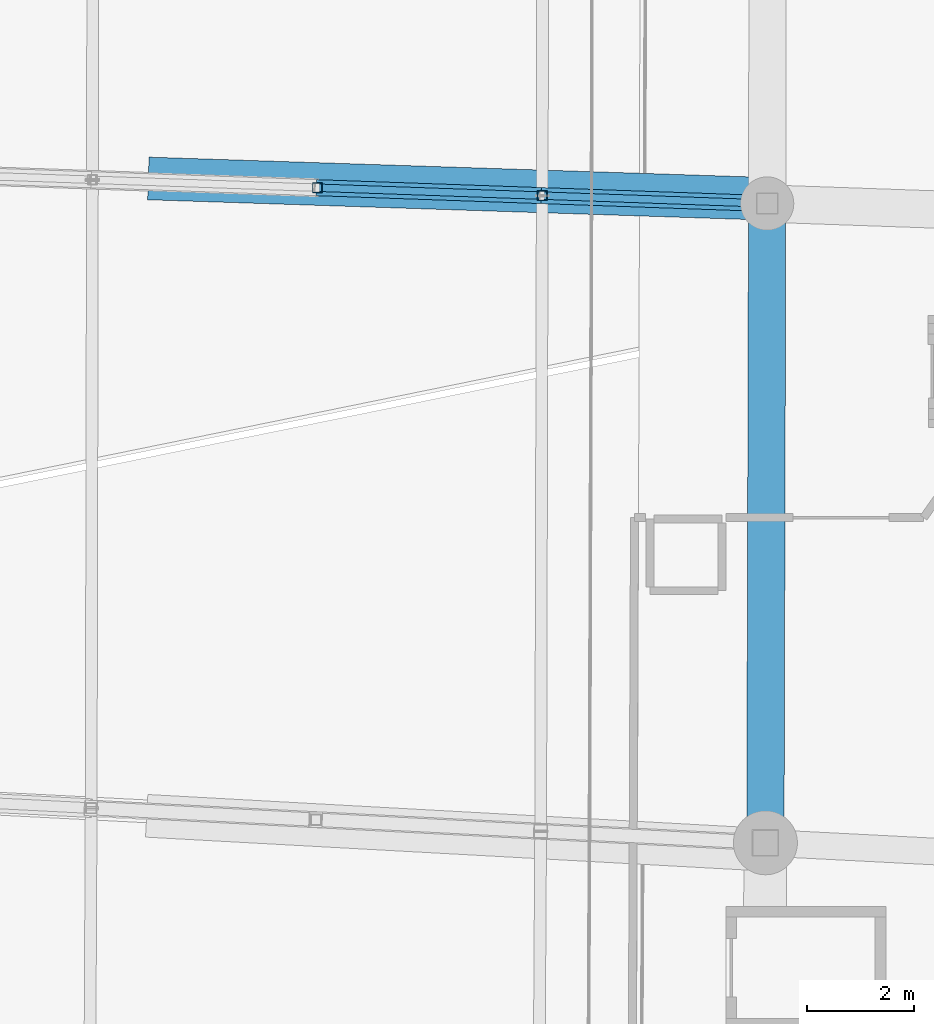
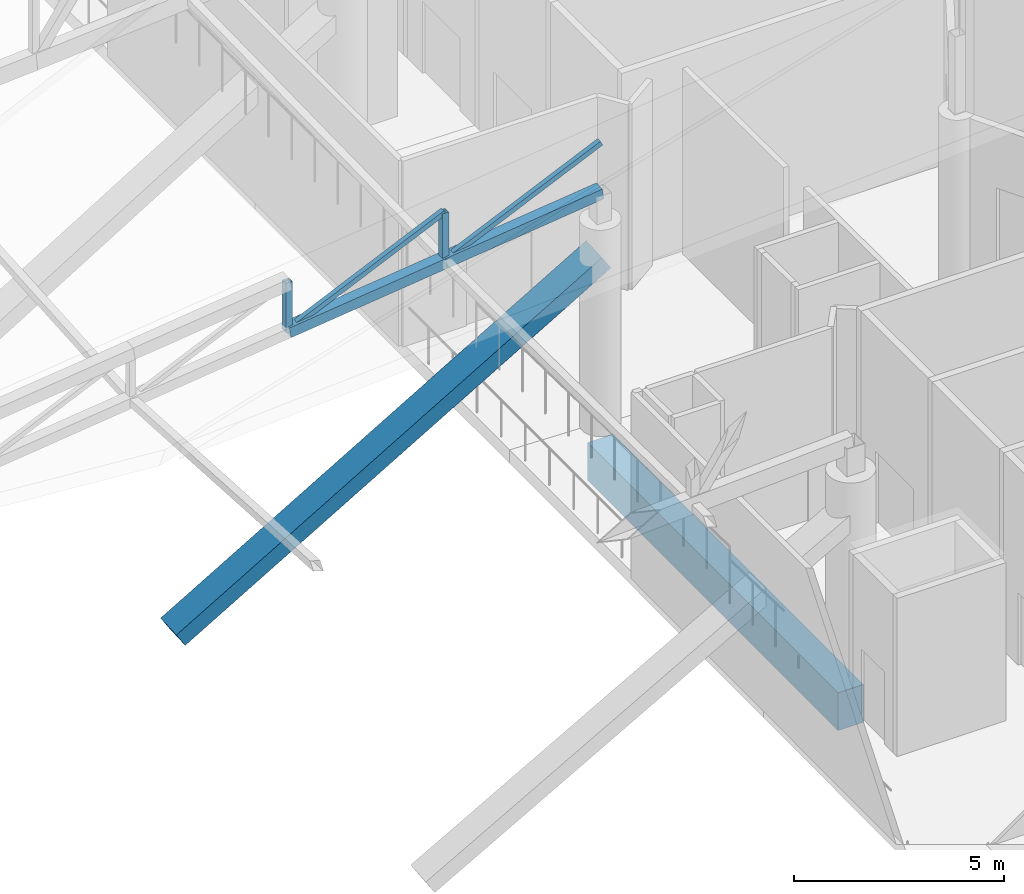
# One storey, part 104 of 344: 6 members, 2 beams.
"""IFC4 building model written with IfcOpenShell, lengths in metres."""

from ifc_helpers import new_model, si_unit, direction, frame, origin, origin_2d, place, context, subcontext, project, spatial, rectangle, hollow_rectangle, extrude, material, material_profile, profile_set, type_object, element, save


model = new_model("IFC4")

# Units and contexts
model_context = context("Model", 3, precision=1e-05, world=origin(), true_north=direction((0.0, 1.0)))
body_context = subcontext(model_context, "Body", "Model", "MODEL_VIEW")
ifc_project = project(units=[si_unit("LENGTHUNIT", "METRE"), si_unit("AREAUNIT", "SQUARE_METRE"), si_unit("VOLUMEUNIT", "CUBIC_METRE"), si_unit("PLANEANGLEUNIT", "RADIAN"), si_unit("MASSUNIT", "GRAM", prefix="KILO")], contexts=[model_context])

# Site, building, storey
site_placement = place(None, origin())
site = spatial("IfcSite", under=ifc_project, at=site_placement, CompositionType="ELEMENT")
building_placement = place(site_placement, origin())
building = spatial("IfcBuilding", under=site, at=building_placement, Name="Meseta Stadium", CompositionType="ELEMENT")
storey_placement = place(building_placement, frame((0.0, 0.0, 24.0)))
storey = spatial("IfcBuildingStorey", under=building, at=storey_placement, Name="L04", CompositionType="ELEMENT", Elevation=24.0)

# Beams
ifc_material_1 = material(Name="Concrete C40/50", Category="concrete")
ifc_material_profile_1 = material_profile(ifc_material_1, rectangle(XDim=0.699951171875, YDim=1.10009765625, at=origin_2d()), Name="RC 700x1100")
ifc_profile_set_1 = profile_set([ifc_material_profile_1], Name="Concrete C40/50")
beam_type_1 = type_object("IfcBeamType", Name="RC beam 700x1100", PredefinedType="BEAM", material=ifc_profile_set_1)
beam_1_placement = place(storey_placement, frame((84.940673828125, -30.404052734375, -0.949951171875), z_axis=(0.002707369213, 0.999996335069, 0.0), x_axis=(-0.999996335069, 0.002707369213, 0.0)))
element("IfcBeam", 1, at=beam_1_placement, inside=storey, type_object=beam_type_1, Name="L04 ring beam frame 2 line P", PredefinedType="BEAM", context=body_context, shape_type="SweptSolid", body=[
    extrude(rectangle(XDim=0.699951171875, YDim=1.10009765625, at=origin_2d()), origin(), (0.0, 0.0, 1.0), 11.993408203125),
])
ifc_material_2 = material(Name="Concrete C40/50", Category="concrete")
ifc_material_profile_2 = material_profile(ifc_material_2, rectangle(XDim=0.800048828125, YDim=0.449951171875, at=origin_2d()), Name="RC 800x450")
ifc_profile_set_2 = profile_set([ifc_material_profile_2], Name="Concrete C40/50")
beam_type_2 = type_object("IfcBeamType", Name="RC raker upper rear 800x450", PredefinedType="USERDEFINED", material=ifc_profile_set_2)
beam_2_placement = place(storey_placement, frame((73.482421875, -17.943603515625, -2.289306640625), z_axis=(0.847550592425, -0.027868228235, 0.529982410213), x_axis=(0.032863142058, 0.999459861072, 0.0)))
element("IfcBeam", 2, at=beam_2_placement, inside=storey, type_object=beam_type_2, Name="Raker upper rear frame 3 upper tier", ObjectType="RAKER", PredefinedType="USERDEFINED", context=body_context, shape_type="SweptSolid", body=[
    extrude(rectangle(XDim=0.800048828125, YDim=0.449951171875, at=origin_2d()), origin(), (0.0, 0.0, 1.0), 13.561279296875),
])

# Members
ifc_material_3 = material(Name="Steel S355", Category="steel")
ifc_material_profile_3 = material_profile(ifc_material_3, hollow_rectangle(XDim=0.139892578125, YDim=0.139892578125, WallThickness=0.0048828125, at=origin_2d()), Name="SHS 140x140x5")
ifc_profile_set_3 = profile_set([ifc_material_profile_3], Name="Steel S355")
member_type_1 = type_object("IfcMemberType", Name="SHS 140x140x5 diagonal", PredefinedType="BRACE", material=ifc_profile_set_3)
for number, where, z_axis, x_axis, name in (
    (3, (76.533935546875, -18.11328125, 5.53369140625), (0.898066967953, -0.031645130098, 0.438718938288), (0.035215082554, 0.999379756629, 0.0), "ROOF TRUSS RT-03 diagonal"),
    (4, (80.75341796875, -18.261962890625, 6.1669921875), (0.898097491679, -0.031644374707, 0.438656504556), (0.035213047643, 0.999379828331, 0.0), "ROOF TRUSS RT-03 diagonal"),
):
    element("IfcMember", number, at=place(storey_placement, frame(where, z_axis=z_axis, x_axis=x_axis)), inside=storey, type_object=member_type_1, Name=name, PredefinedType="BRACE", context=body_context, shape_type="SweptSolid", body=[
        extrude(hollow_rectangle(XDim=0.139892578125, YDim=0.139892578125, WallThickness=0.0048828125, at=origin_2d()), origin(), (0.0, 0.0, 1.0), 4.698486328125),
    ])
ifc_material_4 = material(Name="Steel S355", Category="steel")
ifc_material_profile_4 = material_profile(ifc_material_4, hollow_rectangle(XDim=0.179931640625, YDim=0.179931640625, WallThickness=0.00634765625, at=origin_2d()), Name="SHS 180x180x6.3")
ifc_profile_set_4 = profile_set([ifc_material_profile_4], Name="Steel S355")
member_type_2 = type_object("IfcMemberType", Name="SHS 180x180x6.3 post", PredefinedType="POST", material=ifc_profile_set_4)
member_1_placement = place(storey_placement, frame((76.533935546875, -18.11328125, 5.53369140625), z_axis=(0.0, 0.0, 1.0), x_axis=(1.0, 0.0, 0.0)))
element("IfcMember", 5, at=member_1_placement, inside=storey, type_object=member_type_2, Name="ROOF TRUSS RT-03 post", PredefinedType="POST", context=body_context, shape_type="SweptSolid", body=[
    extrude(hollow_rectangle(XDim=0.179931640625, YDim=0.179931640625, WallThickness=0.00634765625, at=origin_2d()), origin(), (0.0, 0.0, 1.0), 1.42822265625),
])
member_2_placement = place(storey_placement, frame((80.75341796875, -18.261962890625, 6.1669921875), z_axis=(0.0, 0.0, 1.0), x_axis=(1.0, 0.0, 0.0)))
element("IfcMember", 6, at=member_2_placement, inside=storey, type_object=member_type_2, Name="ROOF TRUSS RT-03 post", PredefinedType="POST", context=body_context, shape_type="SweptSolid", body=[
    extrude(hollow_rectangle(XDim=0.179931640625, YDim=0.179931640625, WallThickness=0.00634765625, at=origin_2d()), origin(), (0.0, 0.0, 1.0), 1.427978515625),
])
ifc_material_5 = material(Name="Steel S355", Category="steel")
ifc_material_profile_5 = material_profile(ifc_material_5, hollow_rectangle(XDim=0.300048828125, YDim=0.300048828125, WallThickness=0.010009765625, at=origin_2d()), Name="SHS 300x300x10")
ifc_profile_set_5 = profile_set([ifc_material_profile_5], Name="Steel S355")
member_type_3 = type_object("IfcMemberType", Name="SHS 300x300x10 bottom chord", PredefinedType="CHORD", material=ifc_profile_set_5)
member_3_placement = place(storey_placement, frame((76.533935546875, -18.11328125, 5.53369140625), z_axis=(0.98832346585, -0.034825492721, 0.148337156189), x_axis=(0.035215082554, 0.999379756629, 0.0)))
element("IfcMember", 7, at=member_3_placement, inside=storey, type_object=member_type_3, Name="ROOF TRUSS RT-03 bottom chord", PredefinedType="CHORD", context=body_context, shape_type="SweptSolid", body=[
    extrude(hollow_rectangle(XDim=0.300048828125, YDim=0.300048828125, WallThickness=0.010009765625, at=origin_2d()), origin(), (0.0, 0.0, 1.0), 4.269287109375),
])
member_4_placement = place(storey_placement, frame((80.75341796875, -18.261962890625, 6.1669921875), z_axis=(0.988333174505, -0.034823819907, 0.148272848964), x_axis=(0.035213047643, 0.999379828331, 0.0)))
element("IfcMember", 8, at=member_4_placement, inside=storey, type_object=member_type_3, Name="ROOF TRUSS RT-03 bottom chord", PredefinedType="CHORD", context=body_context, shape_type="SweptSolid", body=[
    extrude(hollow_rectangle(XDim=0.300048828125, YDim=0.300048828125, WallThickness=0.010009765625, at=origin_2d()), origin(), (0.0, 0.0, 1.0), 4.26953125),
])

save(model, "model.ifc")
